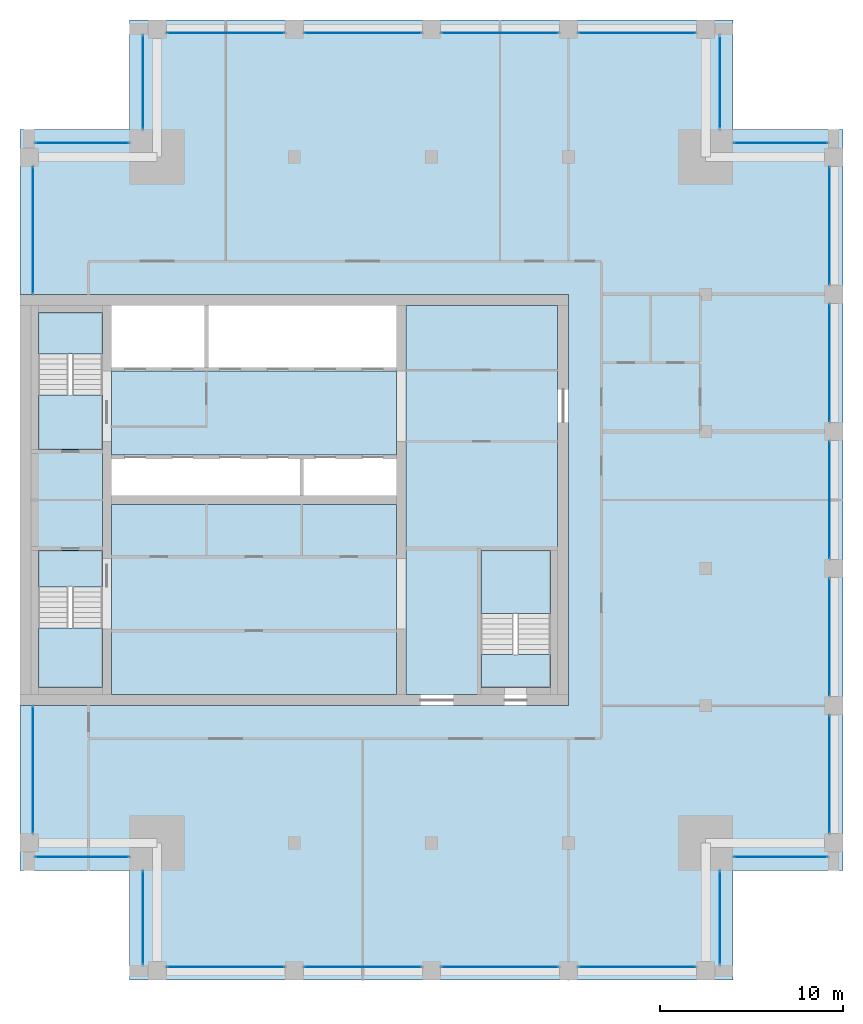
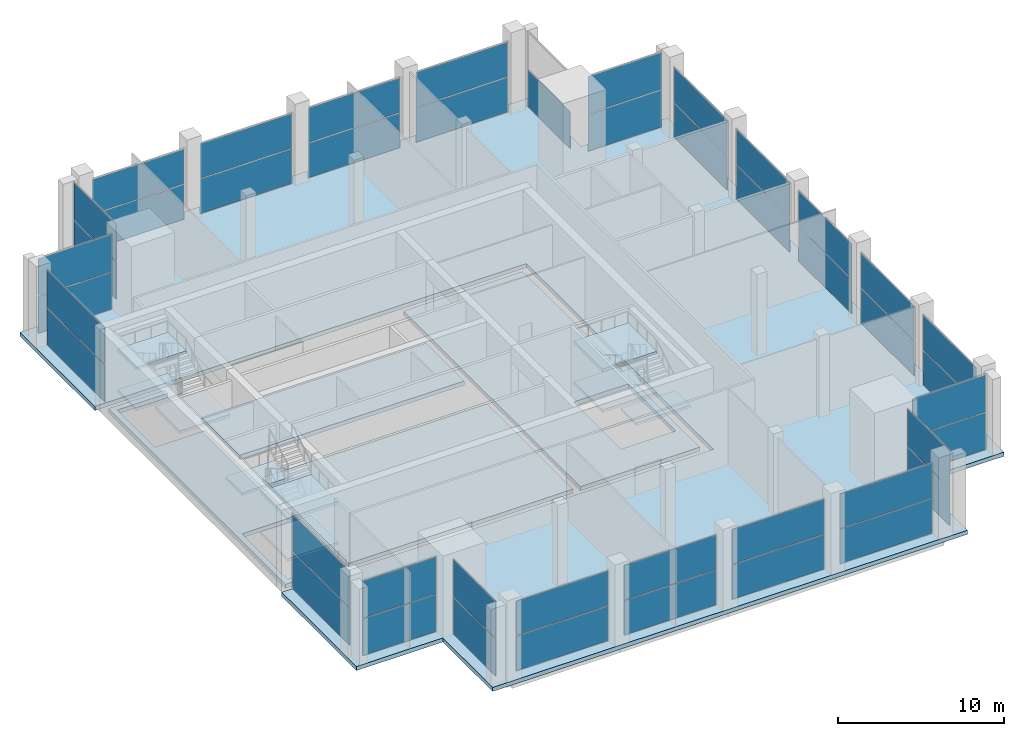
# One storey, part 7 of 15: 45 plates, 14 slabs, 26 elements without a shape of their own.
"""IFC4 building model written with IfcOpenShell, lengths in metres."""

from ifc_helpers import new_model, si_unit, direction, frame, origin, origin_2d, place, context, subcontext, project, spatial, polyline, rectangle, outline, extrude, material, layer, layer_set, type_object, element, aggregate, save


model = new_model("IFC4")

# Units and contexts
model_context = context("Model", 3, precision=1e-05, world=origin(), true_north=direction((0.0, 1.0)))
body_context = subcontext(model_context, "Body", "Model", "MODEL_VIEW")
ifc_project = project(units=[si_unit("LENGTHUNIT", "METRE"), si_unit("AREAUNIT", "SQUARE_METRE"), si_unit("VOLUMEUNIT", "CUBIC_METRE"), si_unit("PLANEANGLEUNIT", "RADIAN"), si_unit("MASSUNIT", "GRAM", prefix="KILO")], contexts=[model_context])

# Site, building, storey
site_placement = place(None, origin())
site = spatial("IfcSite", under=ifc_project, at=site_placement, CompositionType="ELEMENT")
building_placement = place(site_placement, origin())
building = spatial("IfcBuilding", under=site, at=building_placement, Name="Tamorin Gate", CompositionType="ELEMENT")
storey_placement = place(building_placement, frame((0.0, 0.0, 308.699951171875)))
storey = spatial("IfcBuildingStorey", under=building, at=storey_placement, Name="L76", CompositionType="ELEMENT", Elevation=308.699951171875)

# Curtain wall, plates
ifc_material_1 = material(Name="Aluminium mullions and transoms with clear glass", Category="aluminium")
ifc_layer_1 = layer(ifc_material_1, 0.159912109375)
ifc_layer_set_1 = layer_set([ifc_layer_1], Name="Curtain wall system CW4")
curtain_wall_type = type_object("IfcCurtainWallType", Name="Curtain wall system CW4", PredefinedType="NOTDEFINED", material=ifc_layer_set_1)
curtain_wall_1_placement = place(storey_placement, origin())
curtain_wall_1 = element("IfcCurtainWall", 1, at=curtain_wall_1_placement, inside=storey, type_object=curtain_wall_type, Name="Curtain wall", PredefinedType="NOTDEFINED")
ifc_material_2 = material(Name="Clear glass", Category="glass")
ifc_layer_2 = layer(ifc_material_2, 0.028076171875)
ifc_layer_set_2 = layer_set([ifc_layer_2], Name="Clear glass panel IGU 28")
plate_type = type_object("IfcPlateType", Name="Clear glass panel IGU 28", PredefinedType="CURTAIN_PANEL", material=ifc_layer_set_2)
plate_1_placement = place(storey_placement, frame((41.25, 45.719970703125, 0.06005859375), z_axis=(0.0, 0.0, 1.0), x_axis=(1.0, 0.0, 0.0)))
plate_1 = element("IfcPlate", 2, at=plate_1_placement, type_object=plate_type, Name="CW4 panel 1.1", PredefinedType="CURTAIN_PANEL", context=body_context, shape_type="SweptSolid", body=[
    extrude(rectangle(XDim=6.3798828125, YDim=0.028076171875, at=origin_2d()), origin(), (0.0, 0.0, 1.0), 2.534912109375),
])
plate_2_placement = place(storey_placement, frame((41.25, 45.719970703125, 2.6552734375), z_axis=(0.0, 0.0, 1.0), x_axis=(1.0, 0.0, 0.0)))
plate_2 = element("IfcPlate", 3, at=plate_2_placement, type_object=plate_type, Name="CW4 panel 1.2", PredefinedType="CURTAIN_PANEL", context=body_context, shape_type="SweptSolid", body=[
    extrude(rectangle(XDim=6.3798828125, YDim=0.028076171875, at=origin_2d()), origin(), (0.0, 0.0, 1.0), 2.534912109375),
])
aggregate(curtain_wall_1, [plate_1, plate_2])

curtain_wall_2_placement = place(storey_placement, origin())
curtain_wall_2 = element("IfcCurtainWall", 4, at=curtain_wall_2_placement, inside=storey, type_object=curtain_wall_type, Name="Curtain wall", PredefinedType="NOTDEFINED")
plate_3_placement = place(storey_placement, frame((48.75, 45.719970703125, 0.06005859375), z_axis=(0.0, 0.0, 1.0), x_axis=(1.0, 0.0, 0.0)))
plate_3 = element("IfcPlate", 5, at=plate_3_placement, type_object=plate_type, Name="CW4 panel 1.1", PredefinedType="CURTAIN_PANEL", context=body_context, shape_type="SweptSolid", body=[
    extrude(rectangle(XDim=6.3798828125, YDim=0.028076171875, at=origin_2d()), origin(), (0.0, 0.0, 1.0), 2.534912109375),
])
plate_4_placement = place(storey_placement, frame((48.75, 45.719970703125, 2.6552734375), z_axis=(0.0, 0.0, 1.0), x_axis=(1.0, 0.0, 0.0)))
plate_4 = element("IfcPlate", 6, at=plate_4_placement, type_object=plate_type, Name="CW4 panel 1.2", PredefinedType="CURTAIN_PANEL", context=body_context, shape_type="SweptSolid", body=[
    extrude(rectangle(XDim=6.3798828125, YDim=0.028076171875, at=origin_2d()), origin(), (0.0, 0.0, 1.0), 2.534912109375),
])
aggregate(curtain_wall_2, [plate_3, plate_4])

curtain_wall_3_placement = place(storey_placement, origin())
curtain_wall_3 = element("IfcCurtainWall", 7, at=curtain_wall_3_placement, inside=storey, type_object=curtain_wall_type, Name="Curtain wall", PredefinedType="NOTDEFINED")
plate_5_placement = place(storey_placement, frame((56.25, 45.719970703125, 0.06005859375), z_axis=(0.0, 0.0, 1.0), x_axis=(1.0, 0.0, 0.0)))
plate_5 = element("IfcPlate", 8, at=plate_5_placement, type_object=plate_type, Name="CW4 panel 1.1", PredefinedType="CURTAIN_PANEL", context=body_context, shape_type="SweptSolid", body=[
    extrude(rectangle(XDim=6.3798828125, YDim=0.028076171875, at=origin_2d()), origin(), (0.0, 0.0, 1.0), 2.534912109375),
])
plate_6_placement = place(storey_placement, frame((56.25, 45.719970703125, 2.6552734375), z_axis=(0.0, 0.0, 1.0), x_axis=(1.0, 0.0, 0.0)))
plate_6 = element("IfcPlate", 9, at=plate_6_placement, type_object=plate_type, Name="CW4 panel 1.2", PredefinedType="CURTAIN_PANEL", context=body_context, shape_type="SweptSolid", body=[
    extrude(rectangle(XDim=6.3798828125, YDim=0.028076171875, at=origin_2d()), origin(), (0.0, 0.0, 1.0), 2.534912109375),
])
aggregate(curtain_wall_3, [plate_5, plate_6])

curtain_wall_4_placement = place(storey_placement, origin())
curtain_wall_4 = element("IfcCurtainWall", 10, at=curtain_wall_4_placement, inside=storey, type_object=curtain_wall_type, Name="Curtain wall", PredefinedType="NOTDEFINED")
plate_7_placement = place(storey_placement, frame((63.75, 45.719970703125, 0.06005859375), z_axis=(0.0, 0.0, 1.0), x_axis=(1.0, 0.0, 0.0)))
plate_7 = element("IfcPlate", 11, at=plate_7_placement, type_object=plate_type, Name="CW4 panel 1.1", PredefinedType="CURTAIN_PANEL", context=body_context, shape_type="SweptSolid", body=[
    extrude(rectangle(XDim=6.3798828125, YDim=0.028076171875, at=origin_2d()), origin(), (0.0, 0.0, 1.0), 2.534912109375),
])
plate_8_placement = place(storey_placement, frame((63.75, 45.719970703125, 2.6552734375), z_axis=(0.0, 0.0, 1.0), x_axis=(1.0, 0.0, 0.0)))
plate_8 = element("IfcPlate", 12, at=plate_8_placement, type_object=plate_type, Name="CW4 panel 1.2", PredefinedType="CURTAIN_PANEL", context=body_context, shape_type="SweptSolid", body=[
    extrude(rectangle(XDim=6.3798828125, YDim=0.028076171875, at=origin_2d()), origin(), (0.0, 0.0, 1.0), 2.534912109375),
])
aggregate(curtain_wall_4, [plate_7, plate_8])

curtain_wall_5_placement = place(storey_placement, origin())
curtain_wall_5 = element("IfcCurtainWall", 13, at=curtain_wall_5_placement, inside=storey, type_object=curtain_wall_type, Name="Curtain wall", PredefinedType="NOTDEFINED")
plate_9_placement = place(storey_placement, frame((68.280029296875, 48.39990234375, 0.06005859375), z_axis=(0.0, 0.0, 1.0), x_axis=(0.0, 1.0, 0.0)))
plate_9 = element("IfcPlate", 14, at=plate_9_placement, type_object=plate_type, Name="CW4 panel 1.1", PredefinedType="CURTAIN_PANEL", context=body_context, shape_type="SweptSolid", body=[
    extrude(rectangle(XDim=5.080078125, YDim=0.028076171875, at=origin_2d()), origin(), (0.0, 0.0, 1.0), 2.7099609375),
])
plate_10_placement = place(storey_placement, frame((68.280029296875, 48.39990234375, 2.830078125), z_axis=(0.0, 0.0, 1.0), x_axis=(0.0, 1.0, 0.0)))
plate_10 = element("IfcPlate", 15, at=plate_10_placement, type_object=plate_type, Name="CW4 panel 1.2", PredefinedType="CURTAIN_PANEL", context=body_context, shape_type="SweptSolid", body=[
    extrude(rectangle(XDim=5.080078125, YDim=0.028076171875, at=origin_2d()), origin(), (0.0, 0.0, 1.0), 2.7099609375),
])
aggregate(curtain_wall_5, [plate_9, plate_10])

curtain_wall_6_placement = place(storey_placement, origin())
curtain_wall_6 = element("IfcCurtainWall", 16, at=curtain_wall_6_placement, inside=storey, type_object=curtain_wall_type, Name="Curtain wall", PredefinedType="NOTDEFINED")
plate_11_placement = place(storey_placement, frame((71.60009765625, 51.719970703125, 0.06005859375), z_axis=(0.0, 0.0, 1.0), x_axis=(1.0, 0.0, 0.0)))
plate_11 = element("IfcPlate", 17, at=plate_11_placement, type_object=plate_type, Name="CW4 panel 1.1", PredefinedType="CURTAIN_PANEL", context=body_context, shape_type="SweptSolid", body=[
    extrude(rectangle(XDim=5.080078125, YDim=0.028076171875, at=origin_2d()), origin(), (0.0, 0.0, 1.0), 2.7099609375),
])
plate_12_placement = place(storey_placement, frame((71.60009765625, 51.719970703125, 2.830078125), z_axis=(0.0, 0.0, 1.0), x_axis=(1.0, 0.0, 0.0)))
plate_12 = element("IfcPlate", 18, at=plate_12_placement, type_object=plate_type, Name="CW4 panel 1.2", PredefinedType="CURTAIN_PANEL", context=body_context, shape_type="SweptSolid", body=[
    extrude(rectangle(XDim=5.080078125, YDim=0.028076171875, at=origin_2d()), origin(), (0.0, 0.0, 1.0), 2.7099609375),
])
aggregate(curtain_wall_6, [plate_11, plate_12])

curtain_wall_7_placement = place(storey_placement, origin())
curtain_wall_7 = element("IfcCurtainWall", 19, at=curtain_wall_7_placement, inside=storey, type_object=curtain_wall_type, Name="Curtain wall", PredefinedType="NOTDEFINED")
plate_13_placement = place(storey_placement, frame((74.280029296875, 56.25, 0.06005859375), z_axis=(0.0, 0.0, 1.0), x_axis=(0.0, 1.0, 0.0)))
plate_13 = element("IfcPlate", 20, at=plate_13_placement, type_object=plate_type, Name="CW4 panel 1.1", PredefinedType="CURTAIN_PANEL", context=body_context, shape_type="SweptSolid", body=[
    extrude(rectangle(XDim=6.3798828125, YDim=0.028076171875, at=origin_2d()), origin(), (0.0, 0.0, 1.0), 2.534912109375),
])
plate_14_placement = place(storey_placement, frame((74.280029296875, 56.25, 2.6552734375), z_axis=(0.0, 0.0, 1.0), x_axis=(0.0, 1.0, 0.0)))
plate_14 = element("IfcPlate", 21, at=plate_14_placement, type_object=plate_type, Name="CW4 panel 1.2", PredefinedType="CURTAIN_PANEL", context=body_context, shape_type="SweptSolid", body=[
    extrude(rectangle(XDim=6.3798828125, YDim=0.028076171875, at=origin_2d()), origin(), (0.0, 0.0, 1.0), 2.534912109375),
])
aggregate(curtain_wall_7, [plate_13, plate_14])

curtain_wall_8_placement = place(storey_placement, origin())
curtain_wall_8 = element("IfcCurtainWall", 22, at=curtain_wall_8_placement, inside=storey, type_object=curtain_wall_type, Name="Curtain wall", PredefinedType="NOTDEFINED")
plate_15_placement = place(storey_placement, frame((74.280029296875, 63.75, 0.06005859375), z_axis=(0.0, 0.0, 1.0), x_axis=(0.0, 1.0, 0.0)))
plate_15 = element("IfcPlate", 23, at=plate_15_placement, type_object=plate_type, Name="CW4 panel 1.1", PredefinedType="CURTAIN_PANEL", context=body_context, shape_type="SweptSolid", body=[
    extrude(rectangle(XDim=6.3798828125, YDim=0.028076171875, at=origin_2d()), origin(), (0.0, 0.0, 1.0), 2.534912109375),
])
plate_16_placement = place(storey_placement, frame((74.280029296875, 63.75, 2.6552734375), z_axis=(0.0, 0.0, 1.0), x_axis=(0.0, 1.0, 0.0)))
plate_16 = element("IfcPlate", 24, at=plate_16_placement, type_object=plate_type, Name="CW4 panel 1.2", PredefinedType="CURTAIN_PANEL", context=body_context, shape_type="SweptSolid", body=[
    extrude(rectangle(XDim=6.3798828125, YDim=0.028076171875, at=origin_2d()), origin(), (0.0, 0.0, 1.0), 2.534912109375),
])
aggregate(curtain_wall_8, [plate_15, plate_16])

curtain_wall_9_placement = place(storey_placement, origin())
curtain_wall_9 = element("IfcCurtainWall", 25, at=curtain_wall_9_placement, inside=storey, type_object=curtain_wall_type, Name="Curtain wall", PredefinedType="NOTDEFINED")
plate_17_placement = place(storey_placement, frame((74.280029296875, 71.25, 0.06005859375), z_axis=(0.0, 0.0, 1.0), x_axis=(0.0, 1.0, 0.0)))
plate_17 = element("IfcPlate", 26, at=plate_17_placement, type_object=plate_type, Name="CW4 panel 1.1", PredefinedType="CURTAIN_PANEL", context=body_context, shape_type="SweptSolid", body=[
    extrude(rectangle(XDim=6.3798828125, YDim=0.028076171875, at=origin_2d()), origin(), (0.0, 0.0, 1.0), 2.534912109375),
])
plate_18_placement = place(storey_placement, frame((74.280029296875, 71.25, 2.6552734375), z_axis=(0.0, 0.0, 1.0), x_axis=(0.0, 1.0, 0.0)))
plate_18 = element("IfcPlate", 27, at=plate_18_placement, type_object=plate_type, Name="CW4 panel 1.2", PredefinedType="CURTAIN_PANEL", context=body_context, shape_type="SweptSolid", body=[
    extrude(rectangle(XDim=6.3798828125, YDim=0.028076171875, at=origin_2d()), origin(), (0.0, 0.0, 1.0), 2.534912109375),
])
aggregate(curtain_wall_9, [plate_17, plate_18])

curtain_wall_10_placement = place(storey_placement, origin())
curtain_wall_10 = element("IfcCurtainWall", 28, at=curtain_wall_10_placement, inside=storey, type_object=curtain_wall_type, Name="Curtain wall", PredefinedType="NOTDEFINED")
plate_19_placement = place(storey_placement, frame((74.280029296875, 78.75, 0.06005859375), z_axis=(0.0, 0.0, 1.0), x_axis=(0.0, 1.0, 0.0)))
plate_19 = element("IfcPlate", 29, at=plate_19_placement, type_object=plate_type, Name="CW4 panel 1.1", PredefinedType="CURTAIN_PANEL", context=body_context, shape_type="SweptSolid", body=[
    extrude(rectangle(XDim=6.3798828125, YDim=0.028076171875, at=origin_2d()), origin(), (0.0, 0.0, 1.0), 2.534912109375),
])
plate_20_placement = place(storey_placement, frame((74.280029296875, 78.75, 2.6552734375), z_axis=(0.0, 0.0, 1.0), x_axis=(0.0, 1.0, 0.0)))
plate_20 = element("IfcPlate", 30, at=plate_20_placement, type_object=plate_type, Name="CW4 panel 1.2", PredefinedType="CURTAIN_PANEL", context=body_context, shape_type="SweptSolid", body=[
    extrude(rectangle(XDim=6.3798828125, YDim=0.028076171875, at=origin_2d()), origin(), (0.0, 0.0, 1.0), 2.534912109375),
])
aggregate(curtain_wall_10, [plate_19, plate_20])

curtain_wall_11_placement = place(storey_placement, origin())
curtain_wall_11 = element("IfcCurtainWall", 31, at=curtain_wall_11_placement, inside=storey, type_object=curtain_wall_type, Name="Curtain wall", PredefinedType="NOTDEFINED")
plate_21_placement = place(storey_placement, frame((74.280029296875, 86.25, 0.06005859375), z_axis=(0.0, 0.0, 1.0), x_axis=(0.0, 1.0, 0.0)))
plate_21 = element("IfcPlate", 32, at=plate_21_placement, type_object=plate_type, Name="CW4 panel 1.1", PredefinedType="CURTAIN_PANEL", context=body_context, shape_type="SweptSolid", body=[
    extrude(rectangle(XDim=6.3798828125, YDim=0.028076171875, at=origin_2d()), origin(), (0.0, 0.0, 1.0), 2.534912109375),
])
plate_22_placement = place(storey_placement, frame((74.280029296875, 86.25, 2.6552734375), z_axis=(0.0, 0.0, 1.0), x_axis=(0.0, 1.0, 0.0)))
plate_22 = element("IfcPlate", 33, at=plate_22_placement, type_object=plate_type, Name="CW4 panel 1.2", PredefinedType="CURTAIN_PANEL", context=body_context, shape_type="SweptSolid", body=[
    extrude(rectangle(XDim=6.3798828125, YDim=0.028076171875, at=origin_2d()), origin(), (0.0, 0.0, 1.0), 2.534912109375),
])
aggregate(curtain_wall_11, [plate_21, plate_22])

curtain_wall_12_placement = place(storey_placement, origin())
curtain_wall_12 = element("IfcCurtainWall", 34, at=curtain_wall_12_placement, inside=storey, type_object=curtain_wall_type, Name="Curtain wall", PredefinedType="NOTDEFINED")
plate_23_placement = place(storey_placement, frame((71.60009765625, 90.780029296875, 0.06005859375), z_axis=(0.0, 0.0, 1.0), x_axis=(-1.0, 0.0, 0.0)))
plate_23 = element("IfcPlate", 35, at=plate_23_placement, type_object=plate_type, Name="CW4 panel 1.1", PredefinedType="CURTAIN_PANEL", context=body_context, shape_type="SweptSolid", body=[
    extrude(rectangle(XDim=5.080078125, YDim=0.028076171875, at=origin_2d()), origin(), (0.0, 0.0, 1.0), 2.7099609375),
])
plate_24_placement = place(storey_placement, frame((71.60009765625, 90.780029296875, 2.830078125), z_axis=(0.0, 0.0, 1.0), x_axis=(-1.0, 0.0, 0.0)))
plate_24 = element("IfcPlate", 36, at=plate_24_placement, type_object=plate_type, Name="CW4 panel 1.2", PredefinedType="CURTAIN_PANEL", context=body_context, shape_type="SweptSolid", body=[
    extrude(rectangle(XDim=5.080078125, YDim=0.028076171875, at=origin_2d()), origin(), (0.0, 0.0, 1.0), 2.7099609375),
])
aggregate(curtain_wall_12, [plate_23, plate_24])

# Curtain wall, plate
curtain_wall_13_placement = place(storey_placement, origin())
curtain_wall_13 = element("IfcCurtainWall", 37, at=curtain_wall_13_placement, inside=storey, type_object=curtain_wall_type, Name="Curtain wall", PredefinedType="NOTDEFINED")
plate_25_placement = place(storey_placement, frame((68.280029296875, 94.10009765625, 0.06005859375), z_axis=(0.0, 0.0, 1.0), x_axis=(0.0, 1.0, 0.0)))
plate_25 = element("IfcPlate", 38, at=plate_25_placement, type_object=plate_type, Name="CW4 panel 1.1", PredefinedType="CURTAIN_PANEL", context=body_context, shape_type="SweptSolid", body=[
    extrude(rectangle(XDim=5.080078125, YDim=0.028076171875, at=origin_2d()), origin(), (0.0, 0.0, 1.0), 2.7099609375),
])
aggregate(curtain_wall_13, [plate_25])

# Curtain wall, plates
curtain_wall_14_placement = place(storey_placement, origin())
curtain_wall_14 = element("IfcCurtainWall", 39, at=curtain_wall_14_placement, inside=storey, type_object=curtain_wall_type, Name="Curtain wall", PredefinedType="NOTDEFINED")
plate_26_placement = place(storey_placement, frame((63.75, 96.780029296875, 0.06005859375), z_axis=(0.0, 0.0, 1.0), x_axis=(-1.0, 0.0, 0.0)))
plate_26 = element("IfcPlate", 40, at=plate_26_placement, type_object=plate_type, Name="CW4 panel 1.1", PredefinedType="CURTAIN_PANEL", context=body_context, shape_type="SweptSolid", body=[
    extrude(rectangle(XDim=6.3798828125, YDim=0.028076171875, at=origin_2d()), origin(), (0.0, 0.0, 1.0), 2.534912109375),
])
plate_27_placement = place(storey_placement, frame((63.75, 96.780029296875, 2.6552734375), z_axis=(0.0, 0.0, 1.0), x_axis=(-1.0, 0.0, 0.0)))
plate_27 = element("IfcPlate", 41, at=plate_27_placement, type_object=plate_type, Name="CW4 panel 1.2", PredefinedType="CURTAIN_PANEL", context=body_context, shape_type="SweptSolid", body=[
    extrude(rectangle(XDim=6.3798828125, YDim=0.028076171875, at=origin_2d()), origin(), (0.0, 0.0, 1.0), 2.534912109375),
])
aggregate(curtain_wall_14, [plate_26, plate_27])

curtain_wall_15_placement = place(storey_placement, origin())
curtain_wall_15 = element("IfcCurtainWall", 42, at=curtain_wall_15_placement, inside=storey, type_object=curtain_wall_type, Name="Curtain wall", PredefinedType="NOTDEFINED")
plate_28_placement = place(storey_placement, frame((56.25, 96.780029296875, 0.06005859375), z_axis=(0.0, 0.0, 1.0), x_axis=(-1.0, 0.0, 0.0)))
plate_28 = element("IfcPlate", 43, at=plate_28_placement, type_object=plate_type, Name="CW4 panel 1.1", PredefinedType="CURTAIN_PANEL", context=body_context, shape_type="SweptSolid", body=[
    extrude(rectangle(XDim=6.3798828125, YDim=0.028076171875, at=origin_2d()), origin(), (0.0, 0.0, 1.0), 2.534912109375),
])
plate_29_placement = place(storey_placement, frame((56.25, 96.780029296875, 2.6552734375), z_axis=(0.0, 0.0, 1.0), x_axis=(-1.0, 0.0, 0.0)))
plate_29 = element("IfcPlate", 44, at=plate_29_placement, type_object=plate_type, Name="CW4 panel 1.2", PredefinedType="CURTAIN_PANEL", context=body_context, shape_type="SweptSolid", body=[
    extrude(rectangle(XDim=6.3798828125, YDim=0.028076171875, at=origin_2d()), origin(), (0.0, 0.0, 1.0), 2.534912109375),
])
aggregate(curtain_wall_15, [plate_28, plate_29])

curtain_wall_16_placement = place(storey_placement, origin())
curtain_wall_16 = element("IfcCurtainWall", 45, at=curtain_wall_16_placement, inside=storey, type_object=curtain_wall_type, Name="Curtain wall", PredefinedType="NOTDEFINED")
plate_30_placement = place(storey_placement, frame((48.75, 96.780029296875, 0.06005859375), z_axis=(0.0, 0.0, 1.0), x_axis=(-1.0, 0.0, 0.0)))
plate_30 = element("IfcPlate", 46, at=plate_30_placement, type_object=plate_type, Name="CW4 panel 1.1", PredefinedType="CURTAIN_PANEL", context=body_context, shape_type="SweptSolid", body=[
    extrude(rectangle(XDim=6.3798828125, YDim=0.028076171875, at=origin_2d()), origin(), (0.0, 0.0, 1.0), 2.534912109375),
])
plate_31_placement = place(storey_placement, frame((48.75, 96.780029296875, 2.6552734375), z_axis=(0.0, 0.0, 1.0), x_axis=(-1.0, 0.0, 0.0)))
plate_31 = element("IfcPlate", 47, at=plate_31_placement, type_object=plate_type, Name="CW4 panel 1.2", PredefinedType="CURTAIN_PANEL", context=body_context, shape_type="SweptSolid", body=[
    extrude(rectangle(XDim=6.3798828125, YDim=0.028076171875, at=origin_2d()), origin(), (0.0, 0.0, 1.0), 2.534912109375),
])
aggregate(curtain_wall_16, [plate_30, plate_31])

curtain_wall_17_placement = place(storey_placement, origin())
curtain_wall_17 = element("IfcCurtainWall", 48, at=curtain_wall_17_placement, inside=storey, type_object=curtain_wall_type, Name="Curtain wall", PredefinedType="NOTDEFINED")
plate_32_placement = place(storey_placement, frame((41.25, 96.780029296875, 0.06005859375), z_axis=(0.0, 0.0, 1.0), x_axis=(-1.0, 0.0, 0.0)))
plate_32 = element("IfcPlate", 49, at=plate_32_placement, type_object=plate_type, Name="CW4 panel 1.1", PredefinedType="CURTAIN_PANEL", context=body_context, shape_type="SweptSolid", body=[
    extrude(rectangle(XDim=6.3798828125, YDim=0.028076171875, at=origin_2d()), origin(), (0.0, 0.0, 1.0), 2.534912109375),
])
plate_33_placement = place(storey_placement, frame((41.25, 96.780029296875, 2.6552734375), z_axis=(0.0, 0.0, 1.0), x_axis=(-1.0, 0.0, 0.0)))
plate_33 = element("IfcPlate", 50, at=plate_33_placement, type_object=plate_type, Name="CW4 panel 1.2", PredefinedType="CURTAIN_PANEL", context=body_context, shape_type="SweptSolid", body=[
    extrude(rectangle(XDim=6.3798828125, YDim=0.028076171875, at=origin_2d()), origin(), (0.0, 0.0, 1.0), 2.534912109375),
])
aggregate(curtain_wall_17, [plate_32, plate_33])

curtain_wall_18_placement = place(storey_placement, origin())
curtain_wall_18 = element("IfcCurtainWall", 51, at=curtain_wall_18_placement, inside=storey, type_object=curtain_wall_type, Name="Curtain wall", PredefinedType="NOTDEFINED")
plate_34_placement = place(storey_placement, frame((36.719970703125, 94.10009765625, 0.06005859375), z_axis=(0.0, 0.0, 1.0), x_axis=(0.0, -1.0, 0.0)))
plate_34 = element("IfcPlate", 52, at=plate_34_placement, type_object=plate_type, Name="CW4 panel 1.1", PredefinedType="CURTAIN_PANEL", context=body_context, shape_type="SweptSolid", body=[
    extrude(rectangle(XDim=5.080078125, YDim=0.028076171875, at=origin_2d()), origin(), (0.0, 0.0, 1.0), 2.7099609375),
])
plate_35_placement = place(storey_placement, frame((36.719970703125, 94.10009765625, 2.830078125), z_axis=(0.0, 0.0, 1.0), x_axis=(0.0, -1.0, 0.0)))
plate_35 = element("IfcPlate", 53, at=plate_35_placement, type_object=plate_type, Name="CW4 panel 1.2", PredefinedType="CURTAIN_PANEL", context=body_context, shape_type="SweptSolid", body=[
    extrude(rectangle(XDim=5.080078125, YDim=0.028076171875, at=origin_2d()), origin(), (0.0, 0.0, 1.0), 2.7099609375),
])
aggregate(curtain_wall_18, [plate_34, plate_35])

curtain_wall_19_placement = place(storey_placement, origin())
curtain_wall_19 = element("IfcCurtainWall", 54, at=curtain_wall_19_placement, inside=storey, type_object=curtain_wall_type, Name="Curtain wall", PredefinedType="NOTDEFINED")
plate_36_placement = place(storey_placement, frame((33.39990234375, 90.780029296875, 0.06005859375), z_axis=(0.0, 0.0, 1.0), x_axis=(-1.0, 0.0, 0.0)))
plate_36 = element("IfcPlate", 55, at=plate_36_placement, type_object=plate_type, Name="CW4 panel 1.1", PredefinedType="CURTAIN_PANEL", context=body_context, shape_type="SweptSolid", body=[
    extrude(rectangle(XDim=5.080078125, YDim=0.028076171875, at=origin_2d()), origin(), (0.0, 0.0, 1.0), 2.7099609375),
])
plate_37_placement = place(storey_placement, frame((33.39990234375, 90.780029296875, 2.830078125), z_axis=(0.0, 0.0, 1.0), x_axis=(-1.0, 0.0, 0.0)))
plate_37 = element("IfcPlate", 56, at=plate_37_placement, type_object=plate_type, Name="CW4 panel 1.2", PredefinedType="CURTAIN_PANEL", context=body_context, shape_type="SweptSolid", body=[
    extrude(rectangle(XDim=5.080078125, YDim=0.028076171875, at=origin_2d()), origin(), (0.0, 0.0, 1.0), 2.7099609375),
])
aggregate(curtain_wall_19, [plate_36, plate_37])

curtain_wall_20_placement = place(storey_placement, origin())
curtain_wall_20 = element("IfcCurtainWall", 57, at=curtain_wall_20_placement, inside=storey, type_object=curtain_wall_type, Name="Curtain wall", PredefinedType="NOTDEFINED")
plate_38_placement = place(storey_placement, frame((30.719970703125, 86.0, 0.06005859375), z_axis=(0.0, 0.0, 1.0), x_axis=(0.0, -1.0, 0.0)))
plate_38 = element("IfcPlate", 58, at=plate_38_placement, type_object=plate_type, Name="CW4 panel 1.1", PredefinedType="CURTAIN_PANEL", context=body_context, shape_type="SweptSolid", body=[
    extrude(rectangle(XDim=6.8798828125, YDim=0.028076171875, at=origin_2d()), origin(), (0.0, 0.0, 1.0), 2.7099609375),
])
plate_39_placement = place(storey_placement, frame((30.719970703125, 86.0, 2.830078125), z_axis=(0.0, 0.0, 1.0), x_axis=(0.0, -1.0, 0.0)))
plate_39 = element("IfcPlate", 59, at=plate_39_placement, type_object=plate_type, Name="CW4 panel 1.2", PredefinedType="CURTAIN_PANEL", context=body_context, shape_type="SweptSolid", body=[
    extrude(rectangle(XDim=6.8798828125, YDim=0.028076171875, at=origin_2d()), origin(), (0.0, 0.0, 1.0), 2.7099609375),
])
aggregate(curtain_wall_20, [plate_38, plate_39])

curtain_wall_21_placement = place(storey_placement, origin())
curtain_wall_21 = element("IfcCurtainWall", 60, at=curtain_wall_21_placement, inside=storey, type_object=curtain_wall_type, Name="Curtain wall", PredefinedType="NOTDEFINED")
plate_40_placement = place(storey_placement, frame((30.719970703125, 56.5, 0.06005859375), z_axis=(0.0, 0.0, 1.0), x_axis=(0.0, -1.0, 0.0)))
plate_40 = element("IfcPlate", 61, at=plate_40_placement, type_object=plate_type, Name="CW4 panel 1.1", PredefinedType="CURTAIN_PANEL", context=body_context, shape_type="SweptSolid", body=[
    extrude(rectangle(XDim=6.8798828125, YDim=0.028076171875, at=origin_2d()), origin(), (0.0, 0.0, 1.0), 2.7099609375),
])
plate_41_placement = place(storey_placement, frame((30.719970703125, 56.5, 2.830078125), z_axis=(0.0, 0.0, 1.0), x_axis=(0.0, -1.0, 0.0)))
plate_41 = element("IfcPlate", 62, at=plate_41_placement, type_object=plate_type, Name="CW4 panel 1.2", PredefinedType="CURTAIN_PANEL", context=body_context, shape_type="SweptSolid", body=[
    extrude(rectangle(XDim=6.8798828125, YDim=0.028076171875, at=origin_2d()), origin(), (0.0, 0.0, 1.0), 2.7099609375),
])
aggregate(curtain_wall_21, [plate_40, plate_41])

curtain_wall_22_placement = place(storey_placement, origin())
curtain_wall_22 = element("IfcCurtainWall", 63, at=curtain_wall_22_placement, inside=storey, type_object=curtain_wall_type, Name="Curtain wall", PredefinedType="NOTDEFINED")
plate_42_placement = place(storey_placement, frame((33.39990234375, 51.719970703125, 0.06005859375), z_axis=(0.0, 0.0, 1.0), x_axis=(1.0, 0.0, 0.0)))
plate_42 = element("IfcPlate", 64, at=plate_42_placement, type_object=plate_type, Name="CW4 panel 1.1", PredefinedType="CURTAIN_PANEL", context=body_context, shape_type="SweptSolid", body=[
    extrude(rectangle(XDim=5.080078125, YDim=0.028076171875, at=origin_2d()), origin(), (0.0, 0.0, 1.0), 2.7099609375),
])
plate_43_placement = place(storey_placement, frame((33.39990234375, 51.719970703125, 2.830078125), z_axis=(0.0, 0.0, 1.0), x_axis=(1.0, 0.0, 0.0)))
plate_43 = element("IfcPlate", 65, at=plate_43_placement, type_object=plate_type, Name="CW4 panel 1.2", PredefinedType="CURTAIN_PANEL", context=body_context, shape_type="SweptSolid", body=[
    extrude(rectangle(XDim=5.080078125, YDim=0.028076171875, at=origin_2d()), origin(), (0.0, 0.0, 1.0), 2.7099609375),
])
aggregate(curtain_wall_22, [plate_42, plate_43])

curtain_wall_23_placement = place(storey_placement, origin())
curtain_wall_23 = element("IfcCurtainWall", 66, at=curtain_wall_23_placement, inside=storey, type_object=curtain_wall_type, Name="Curtain wall", PredefinedType="NOTDEFINED")
plate_44_placement = place(storey_placement, frame((36.719970703125, 48.39990234375, 0.06005859375), z_axis=(0.0, 0.0, 1.0), x_axis=(0.0, -1.0, 0.0)))
plate_44 = element("IfcPlate", 67, at=plate_44_placement, type_object=plate_type, Name="CW4 panel 1.1", PredefinedType="CURTAIN_PANEL", context=body_context, shape_type="SweptSolid", body=[
    extrude(rectangle(XDim=5.080078125, YDim=0.028076171875, at=origin_2d()), origin(), (0.0, 0.0, 1.0), 2.7099609375),
])
plate_45_placement = place(storey_placement, frame((36.719970703125, 48.39990234375, 2.830078125), z_axis=(0.0, 0.0, 1.0), x_axis=(0.0, -1.0, 0.0)))
plate_45 = element("IfcPlate", 68, at=plate_45_placement, type_object=plate_type, Name="CW4 panel 1.2", PredefinedType="CURTAIN_PANEL", context=body_context, shape_type="SweptSolid", body=[
    extrude(rectangle(XDim=5.080078125, YDim=0.028076171875, at=origin_2d()), origin(), (0.0, 0.0, 1.0), 2.7099609375),
])
aggregate(curtain_wall_23, [plate_44, plate_45])

# Slabs
ifc_material_3 = material(Name="Concrete C40/50", Category="concrete")
ifc_layer_3 = layer(ifc_material_3, 0.300048828125)
ifc_layer_set_3 = layer_set([ifc_layer_3], Name="Core floor slab 300 C40/50")
slab_type_1 = type_object("IfcSlabType", Name="Core floor slab 300 C40/50", PredefinedType="FLOOR", material=ifc_layer_set_3)
slab_1_placement = place(storey_placement, frame((0.0, 0.0, -0.300048828125)))
element("IfcSlab", 69, at=slab_1_placement, inside=storey, type_object=slab_type_1, Name="Core floor L76", PredefinedType="FLOOR", context=body_context, shape_type="SweptSolid", body=[
    extrude(outline(polyline([(51.10009765625, 81.89990234375), (59.39990234375, 81.89990234375), (59.39990234375, 60.60009765625), (51.10009765625, 60.60009765625), (51.10009765625, 81.89990234375)]), holes=[polyline([(55.199951171875, 62.800048828125), (59.0, 62.800048828125), (59.0, 68.5), (55.199951171875, 68.5), (55.199951171875, 62.800048828125)])]), origin(), (0.0, 0.0, 1.0), 0.300048828125),
])
slab_2_placement = place(storey_placement, frame((0.0, 0.0, -0.300048828125)))
element("IfcSlab", 70, at=slab_2_placement, inside=storey, type_object=slab_type_1, Name="Core floor L76", PredefinedType="FLOOR", context=body_context, shape_type="SweptSolid", body=[
    extrude(outline(polyline([(50.60009765625, 71.0), (50.60009765625, 60.60009765625), (35.0, 60.60009765625), (35.0, 71.0), (50.60009765625, 71.0)])), origin(), (0.0, 0.0, 1.0), 0.300048828125),
])
slab_3_placement = place(storey_placement, frame((0.0, 0.0, -0.300048828125)))
element("IfcSlab", 71, at=slab_3_placement, inside=storey, type_object=slab_type_1, Name="Core floor L76", PredefinedType="FLOOR", context=body_context, shape_type="SweptSolid", body=[
    extrude(outline(polyline([(50.60009765625, 73.699951171875), (35.0, 73.699951171875), (35.0, 78.300048828125), (50.60009765625, 78.300048828125), (50.60009765625, 73.699951171875)])), origin(), (0.0, 0.0, 1.0), 0.300048828125),
])
slab_4_placement = place(storey_placement, frame((0.0, 0.0, -0.300048828125)))
element("IfcSlab", 72, at=slab_4_placement, inside=storey, type_object=slab_type_1, Name="Core floor L76", PredefinedType="FLOOR", context=body_context, shape_type="SweptSolid", body=[
    extrude(outline(polyline([(34.5, 60.60009765625), (30.60009765625, 60.60009765625), (30.60009765625, 81.89990234375), (34.5, 81.89990234375), (34.5, 81.5), (31.0, 81.5), (31.0, 77.0), (34.5, 77.0), (34.5, 66.5), (31.0, 66.5), (31.0, 61.0), (34.5, 61.0), (34.5, 60.60009765625)])), origin(), (0.0, 0.0, 1.0), 0.300048828125),
])

# Stair, slabs
stair_type = type_object("IfcStairType", Name="Exit stair", PredefinedType="HALF_TURN_STAIR", material=ifc_material_3)
stair_1_placement = place(storey_placement, origin())
stair_1 = element("IfcStair", 73, at=stair_1_placement, inside=storey, type_object=stair_type, Name="L76 stair ST1", PredefinedType="HALF_TURN_STAIR")
ifc_layer_4 = layer(ifc_material_3, 0.199951171875)
ifc_layer_set_4 = layer_set([ifc_layer_4], Name="Exit stair landing 200")
slab_type_2 = type_object("IfcSlabType", Name="Exit stair landing 200", PredefinedType="LANDING", material=ifc_layer_set_4)
slab_5_placement = place(storey_placement, frame((0.0, 0.0, 1.300048828125)))
slab_5 = element("IfcSlab", 74, at=slab_5_placement, type_object=slab_type_2, Name="ST1 landing 1", PredefinedType="LANDING", context=body_context, shape_type="SweptSolid", body=[
    extrude(outline(polyline([(31.0, 64.260009765625), (31.0, 61.0), (34.5, 61.0), (34.5, 64.260009765625), (31.0, 64.260009765625)])), origin(), (0.0, 0.0, 1.0), 0.199951171875),
])
slab_6_placement = place(storey_placement, frame((0.0, 0.0, 2.800048828125)))
slab_6 = element("IfcSlab", 75, at=slab_6_placement, type_object=slab_type_2, Name="ST1 landing 2", PredefinedType="LANDING", context=body_context, shape_type="SweptSolid", body=[
    extrude(outline(polyline([(31.0, 68.5), (31.0, 66.5), (34.5, 66.5), (34.5, 68.5), (31.0, 68.5)])), origin(), (0.0, 0.0, 1.0), 0.199951171875),
])
slab_7_placement = place(storey_placement, frame((0.0, 0.0, 4.300048828125)))
slab_7 = element("IfcSlab", 76, at=slab_7_placement, type_object=slab_type_2, Name="ST1 landing 3", PredefinedType="LANDING", context=body_context, shape_type="SweptSolid", body=[
    extrude(outline(polyline([(31.0, 64.260009765625), (31.0, 61.0), (34.5, 61.0), (34.5, 64.260009765625), (31.0, 64.260009765625)])), origin(), (0.0, 0.0, 1.0), 0.199951171875),
])
aggregate(stair_1, [slab_5, slab_6, slab_7])

stair_2_placement = place(storey_placement, origin())
stair_2 = element("IfcStair", 77, at=stair_2_placement, inside=storey, type_object=stair_type, Name="L76 stair ST2", PredefinedType="HALF_TURN_STAIR")
slab_8_placement = place(storey_placement, frame((0.0, 0.0, 1.300048828125)))
slab_8 = element("IfcSlab", 78, at=slab_8_placement, type_object=slab_type_2, Name="ST2 landing 1", PredefinedType="LANDING", context=body_context, shape_type="SweptSolid", body=[
    extrude(outline(polyline([(34.5, 79.239990234375), (34.5, 81.5), (31.0, 81.5), (31.0, 79.239990234375), (34.5, 79.239990234375)])), origin(), (0.0, 0.0, 1.0), 0.199951171875),
])
slab_9_placement = place(storey_placement, frame((0.0, 0.0, 2.800048828125)))
slab_9 = element("IfcSlab", 79, at=slab_9_placement, type_object=slab_type_2, Name="ST2 landing 2", PredefinedType="LANDING", context=body_context, shape_type="SweptSolid", body=[
    extrude(outline(polyline([(34.5, 74.0), (34.5, 77.0), (31.0, 77.0), (31.0, 74.0), (34.5, 74.0)])), origin(), (0.0, 0.0, 1.0), 0.199951171875),
])
slab_10_placement = place(storey_placement, frame((0.0, 0.0, 4.300048828125)))
slab_10 = element("IfcSlab", 80, at=slab_10_placement, type_object=slab_type_2, Name="ST2 landing 3", PredefinedType="LANDING", context=body_context, shape_type="SweptSolid", body=[
    extrude(outline(polyline([(34.5, 79.239990234375), (34.5, 81.5), (31.0, 81.5), (31.0, 79.239990234375), (34.5, 79.239990234375)])), origin(), (0.0, 0.0, 1.0), 0.199951171875),
])
aggregate(stair_2, [slab_8, slab_9, slab_10])

stair_3_placement = place(storey_placement, origin())
stair_3 = element("IfcStair", 81, at=stair_3_placement, inside=storey, type_object=stair_type, Name="L76 stair ST3", PredefinedType="HALF_TURN_STAIR")
slab_11_placement = place(storey_placement, frame((0.0, 0.0, 1.300048828125)))
slab_11 = element("IfcSlab", 82, at=slab_11_placement, type_object=slab_type_2, Name="ST3 landing 1", PredefinedType="LANDING", context=body_context, shape_type="SweptSolid", body=[
    extrude(outline(polyline([(59.0, 65.0400390625), (59.0, 68.5), (55.199951171875, 68.5), (55.199951171875, 65.0400390625), (59.0, 65.0400390625)])), origin(), (0.0, 0.0, 1.0), 0.199951171875),
])
slab_12_placement = place(storey_placement, frame((0.0, 0.0, 2.800048828125)))
slab_12 = element("IfcSlab", 83, at=slab_12_placement, type_object=slab_type_2, Name="ST3 landing 2", PredefinedType="LANDING", context=body_context, shape_type="SweptSolid", body=[
    extrude(outline(polyline([(59.0, 61.0), (59.0, 62.800048828125), (55.199951171875, 62.800048828125), (55.199951171875, 61.0), (59.0, 61.0)])), origin(), (0.0, 0.0, 1.0), 0.199951171875),
])
slab_13_placement = place(storey_placement, frame((0.0, 0.0, 4.300048828125)))
slab_13 = element("IfcSlab", 84, at=slab_13_placement, type_object=slab_type_2, Name="ST3 landing 3", PredefinedType="LANDING", context=body_context, shape_type="SweptSolid", body=[
    extrude(outline(polyline([(59.0, 65.0400390625), (59.0, 68.5), (55.199951171875, 68.5), (55.199951171875, 65.0400390625), (59.0, 65.0400390625)])), origin(), (0.0, 0.0, 1.0), 0.199951171875),
])
aggregate(stair_3, [slab_11, slab_12, slab_13])

# Slab
ifc_layer_5 = layer(ifc_material_3, 0.300048828125)
ifc_layer_set_5 = layer_set([ifc_layer_5], Name="Floor slab 300 C40/50")
slab_type_3 = type_object("IfcSlabType", Name="Floor slab 300 C40/50", PredefinedType="FLOOR", material=ifc_layer_set_5)
slab_14_placement = place(storey_placement, frame((0.0, 0.0, -0.300048828125)))
element("IfcSlab", 85, at=slab_14_placement, inside=storey, type_object=slab_type_3, Name="Floor L76", PredefinedType="FLOOR", context=body_context, shape_type="SweptSolid", body=[
    extrude(outline(polyline([(30.0, 91.5), (36.0, 91.5), (36.0, 97.5), (69.0, 97.5), (69.0, 91.5), (75.0, 91.5), (75.0, 51.0), (69.0, 51.0), (69.0, 45.0), (36.0, 45.0), (36.0, 51.0), (30.0, 51.0), (30.0, 60.0), (60.0, 60.0), (60.0, 82.5), (30.0, 82.5), (30.0, 91.5)])), origin(), (0.0, 0.0, 1.0), 0.300048828125),
])

save(model, "model.ifc")
